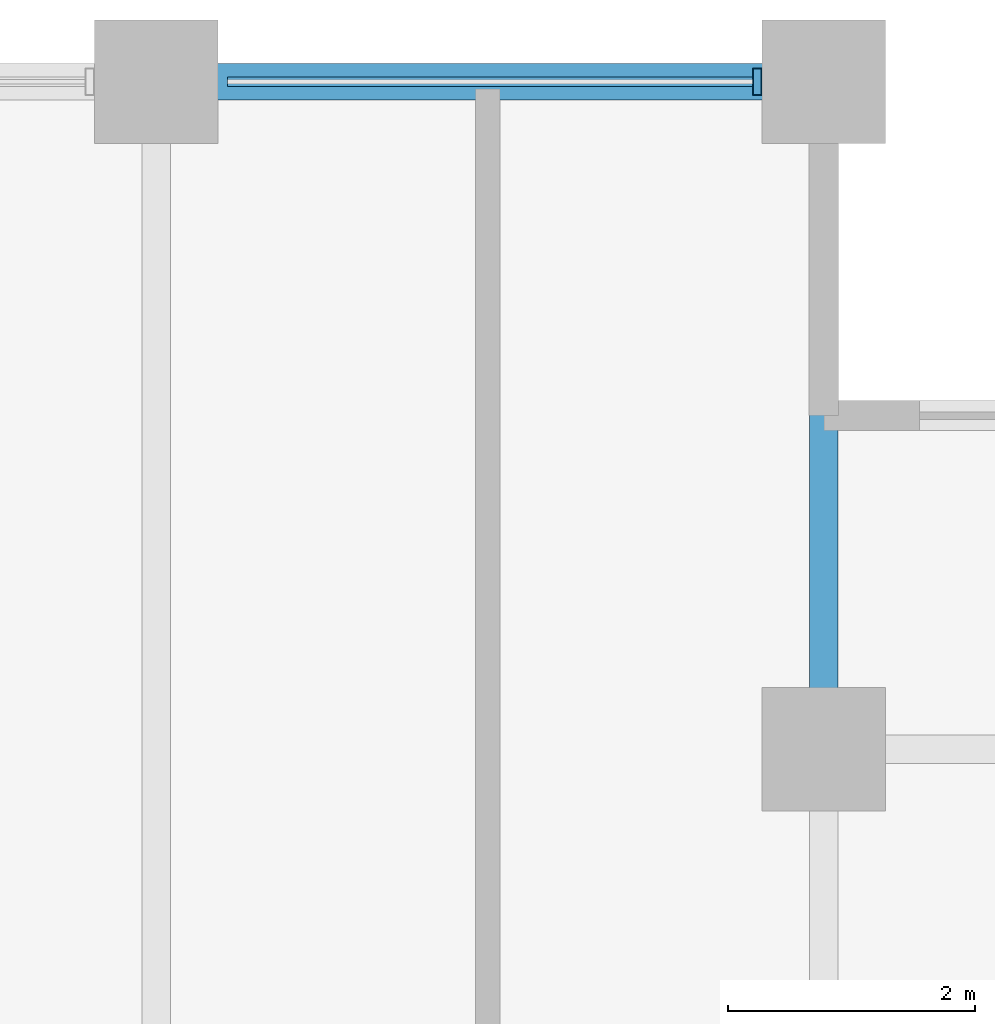
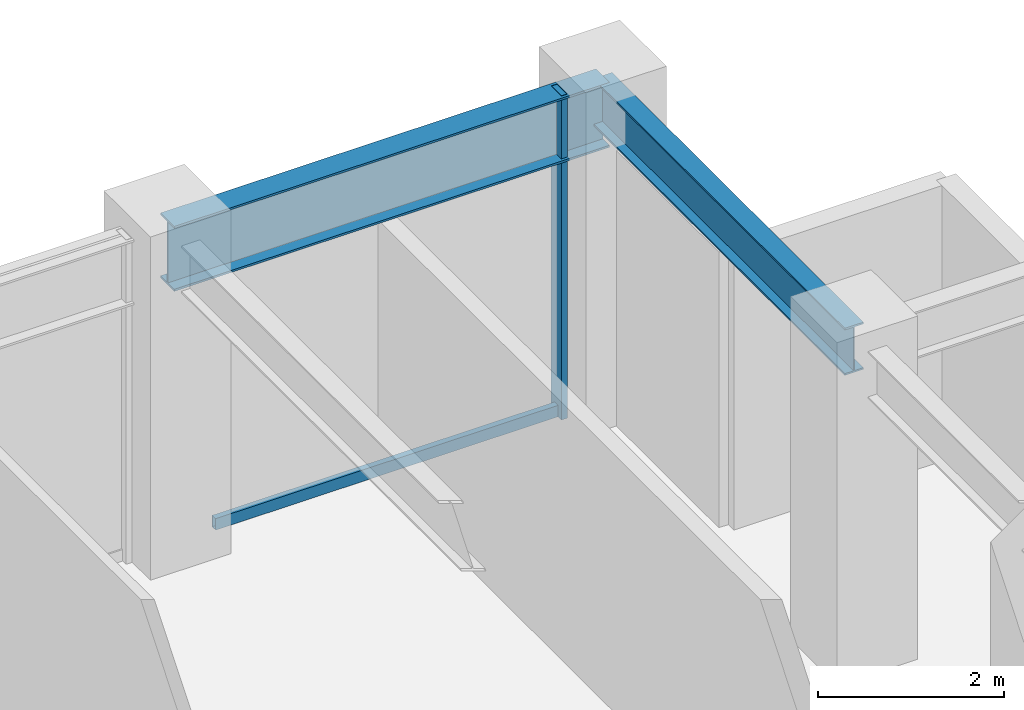
# One storey, part 16 of 25: 2 beams, 2 members, 1 element without a shape of its own.
"""IFC4 building model written with IfcOpenShell, lengths in metres."""

from ifc_helpers import new_model, si_unit, direction, frame, origin, origin_2d, place, context, subcontext, project, spatial, hollow_rectangle, i_section, extrude, material, layer, layer_set, material_profile, profile_set, type_object, element, aggregate, save


model = new_model("IFC4")

# Units and contexts
model_context = context("Model", 3, precision=1e-05, world=origin(), true_north=direction((0.0, 1.0)))
body_context = subcontext(model_context, "Body", "Model", "MODEL_VIEW")
ifc_project = project(units=[si_unit("LENGTHUNIT", "METRE"), si_unit("AREAUNIT", "SQUARE_METRE"), si_unit("VOLUMEUNIT", "CUBIC_METRE"), si_unit("PLANEANGLEUNIT", "RADIAN"), si_unit("MASSUNIT", "GRAM", prefix="KILO")], contexts=[model_context])

# Site, building, storey
site_placement = place(None, origin())
site = spatial("IfcSite", under=ifc_project, at=site_placement, CompositionType="ELEMENT")
building_placement = place(site_placement, origin())
building = spatial("IfcBuilding", under=site, at=building_placement, Name="Surkhivell Harbour Commons", CompositionType="ELEMENT")
storey_placement = place(building_placement, frame((0.0, 0.0, 162.0)))
storey = spatial("IfcBuildingStorey", under=building, at=storey_placement, Name="L42", CompositionType="ELEMENT", Elevation=162.0)

# Beams
ifc_material_1 = material(Name="Steel S355", Category="steel")
ifc_material_profile_1 = material_profile(ifc_material_1, i_section(OverallWidth=0.22998046875, OverallDepth=0.616943359375, WebThickness=0.01318359375, FlangeThickness=0.022216796875, at=origin_2d()), Name="UB610x229x140")
ifc_profile_set_1 = profile_set([ifc_material_profile_1], Name="Steel S355")
beam_type_1 = type_object("IfcBeamType", Name="BM-GRD-610B", PredefinedType="BEAM", material=ifc_profile_set_1)
beam_1_placement = place(storey_placement, frame((16.199951171875, 20.5, 3.94140625), z_axis=(0.0, 1.0, 0.0), x_axis=(-1.0, 0.0, 0.0)))
element("IfcBeam", 1, at=beam_1_placement, inside=storey, type_object=beam_type_1, Name="L42 Floor Girder (16.2,20.5)", PredefinedType="BEAM", context=body_context, shape_type="SweptSolid", body=[
    extrude(i_section(OverallWidth=0.22998046875, OverallDepth=0.616943359375, WebThickness=0.01318359375, FlangeThickness=0.022216796875, at=origin_2d()), origin(), (0.0, 0.0, 1.0), 5.39990234375),
])
ifc_material_2 = material(Name="Steel S460", Category="steel")
ifc_material_profile_2 = material_profile(ifc_material_2, i_section(OverallWidth=0.2939453125, OverallDepth=0.85107421875, WebThickness=0.01611328125, FlangeThickness=0.02685546875, at=origin_2d()), Name="UB838x292x226")
ifc_profile_set_2 = profile_set([ifc_material_profile_2], Name="Steel S460")
beam_type_2 = type_object("IfcBeamType", Name="BM-SPN-838", PredefinedType="SPANDREL", material=ifc_profile_set_2)
beam_2_placement = place(storey_placement, frame((10.800048828125, 25.89990234375, 3.824462890625), z_axis=(1.0, 0.0, 0.0), x_axis=(0.0, 1.0, 0.0)))
element("IfcBeam", 2, at=beam_2_placement, inside=storey, type_object=beam_type_2, Name="L42 Tube Spandrel (10.8,25.9)", PredefinedType="SPANDREL", context=body_context, shape_type="SweptSolid", body=[
    extrude(i_section(OverallWidth=0.2939453125, OverallDepth=0.85107421875, WebThickness=0.01611328125, FlangeThickness=0.02685546875, at=origin_2d()), origin(), (0.0, 0.0, 1.0), 5.39990234375),
])

# Curtain wall, members
ifc_material_3 = material(Name="Anodised pale-metal aluminium and insulated glazing", Category="aluminium")
ifc_layer = layer(ifc_material_3, 0.205078125)
ifc_layer_set = layer_set([ifc_layer], Name="Anodised pale-metal aluminium and insulated glazing")
curtain_wall_type = type_object("IfcCurtainWallType", Name="CW-SYS-Z2", PredefinedType="NOTDEFINED", material=ifc_layer_set)
curtain_wall_placement = place(storey_placement, origin())
curtain_wall = element("IfcCurtainWall", 3, at=curtain_wall_placement, inside=storey, type_object=curtain_wall_type, Name="L42 Curtain Wall CW-L42-E07S1", PredefinedType="NOTDEFINED")
ifc_material_4 = material(Name="Anodised pale-metal aluminium alloy 6063-T6", Category="aluminium")
ifc_material_profile_3 = material_profile(ifc_material_4, hollow_rectangle(XDim=0.074951171875, YDim=0.219970703125, WallThickness=0.00390625, at=origin_2d()), Name="ALU-MULL-75x220")
ifc_profile_set_3 = profile_set([ifc_material_profile_3], Name="Anodised pale-metal aluminium alloy 6063-T6")
member_type_1 = type_object("IfcMemberType", Name="CWM-220", PredefinedType="MULLION", material=ifc_profile_set_3)
member_1_placement = place(storey_placement, frame((15.660400390625, 25.89990234375, 0.0), z_axis=(0.0, 0.0, 1.0), x_axis=(-1.0, 0.0, 0.0)))
member_1 = element("IfcMember", 4, at=member_1_placement, type_object=member_type_1, Name="CW-Z2 mullion 1", PredefinedType="MULLION", context=body_context, shape_type="SweptSolid", body=[
    extrude(hollow_rectangle(XDim=0.074951171875, YDim=0.219970703125, WallThickness=0.00390625, at=origin_2d()), origin(), (0.0, 0.0, 1.0), 4.25),
])
ifc_material_profile_4 = material_profile(ifc_material_4, hollow_rectangle(XDim=0.074951171875, YDim=0.14990234375, WallThickness=0.00341796875, at=origin_2d()), Name="ALU-TRAN-75x150")
ifc_profile_set_4 = profile_set([ifc_material_profile_4], Name="Anodised pale-metal aluminium alloy 6063-T6")
member_type_2 = type_object("IfcMemberType", Name="CWT-150", PredefinedType="USERDEFINED", material=ifc_profile_set_4)
member_2_placement = place(storey_placement, frame((15.623046875, 25.89990234375, 0.074951171875), z_axis=(-1.0, 0.0, 0.0), x_axis=(0.0, -1.0, 0.0)))
member_2 = element("IfcMember", 5, at=member_2_placement, type_object=member_type_2, Name="CW-Z2 transom 1.1", ObjectType="TRANSOM", PredefinedType="USERDEFINED", context=body_context, shape_type="SweptSolid", body=[
    extrude(hollow_rectangle(XDim=0.074951171875, YDim=0.14990234375, WallThickness=0.00341796875, at=origin_2d()), origin(), (0.0, 0.0, 1.0), 4.24609375),
])
aggregate(curtain_wall, [member_1, member_2])

save(model, "model.ifc")
